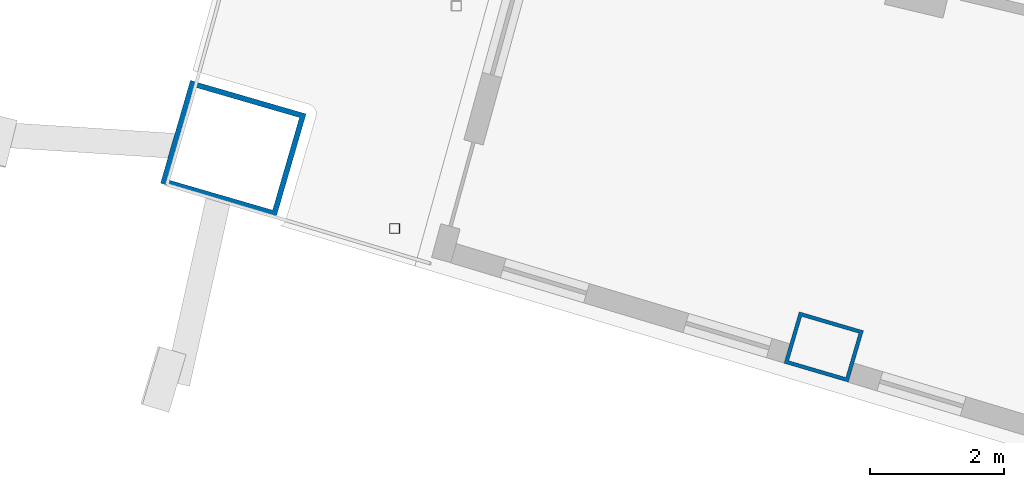
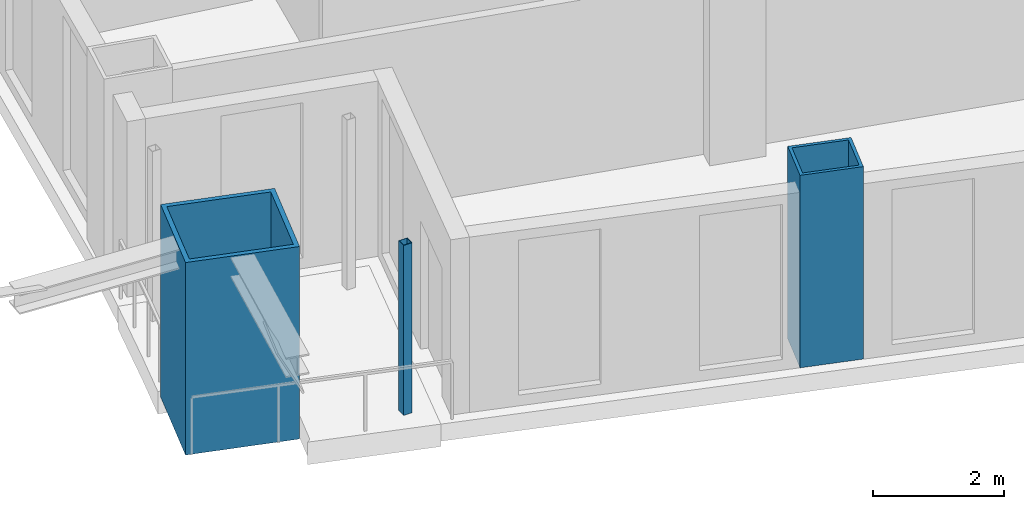
# One storey, part 1 of 22: 3 columns.
"""IFC4 building model written with IfcOpenShell, lengths in metres."""

from ifc_helpers import new_model, si_unit, direction, frame, origin, origin_2d, place, context, subcontext, project, spatial, hollow_rectangle, extrude, material, material_profile, profile_set, type_object, element, save


model = new_model("IFC4")

# Units and contexts
model_context = context("Model", 3, precision=1e-05, world=origin(), true_north=direction((0.0, 1.0)))
body_context = subcontext(model_context, "Body", "Model", "MODEL_VIEW")
ifc_project = project(units=[si_unit("LENGTHUNIT", "METRE"), si_unit("AREAUNIT", "SQUARE_METRE"), si_unit("VOLUMEUNIT", "CUBIC_METRE"), si_unit("PLANEANGLEUNIT", "RADIAN"), si_unit("MASSUNIT", "GRAM", prefix="KILO")], contexts=[model_context])

# Site, building, storey
site_placement = place(None, origin())
site = spatial("IfcSite", under=ifc_project, at=site_placement, CompositionType="ELEMENT")
building_placement = place(site_placement, origin())
building = spatial("IfcBuilding", under=site, at=building_placement, Name="Alderwake Tower", CompositionType="ELEMENT")
storey_placement = place(building_placement, frame((0.0, 0.0, 156.800048828125)))
storey = spatial("IfcBuildingStorey", under=building, at=storey_placement, Name="L38", CompositionType="ELEMENT", Elevation=156.800048828125)

# Columns
ifc_material_1 = material(Name="Steel ASTM A572 Grade 50 concrete filled C70/85", Category="concrete")
ifc_material_profile_1 = material_profile(ifc_material_1, hollow_rectangle(XDim=0.800048828125, YDim=1.0, WallThickness=0.054931640625, at=origin_2d()), Name="BOX 1000X800X55")
ifc_profile_set_1 = profile_set([ifc_material_profile_1], Name="Steel ASTM A572 Grade 50 concrete filled C70/85")
column_type_1 = type_object("IfcColumnType", Name="End column Z3", PredefinedType="COLUMN", material=ifc_profile_set_1)
column_1_placement = place(storey_placement, frame((21.885498046875, 31.03759765625, 0.0), z_axis=(0.0, 0.0, 1.0), x_axis=(0.282132160283, 0.95937554906, 0.0)))
element("IfcColumn", 1, at=column_1_placement, inside=storey, type_object=column_type_1, Name="Column R02-C1", PredefinedType="COLUMN", context=body_context, shape_type="SweptSolid", body=[
    extrude(hollow_rectangle(XDim=0.800048828125, YDim=1.0, WallThickness=0.054931640625, at=origin_2d()), origin(), (0.0, 0.0, 1.0), 3.599853515625),
])
ifc_material_2 = material(Name="Steel ASTM A500 Grade C", Category="steel")
ifc_material_profile_2 = material_profile(ifc_material_2, hollow_rectangle(XDim=0.15234375, YDim=0.15234375, WallThickness=0.0087890625, at=origin_2d()), Name="HSS6X6X3/8")
ifc_profile_set_2 = profile_set([ifc_material_profile_2], Name="Steel ASTM A500 Grade C")
column_type_2 = type_object("IfcColumnType", Name="Light post HSS6X6X3/8", PredefinedType="COLUMN", material=ifc_profile_set_2)
column_2_placement = place(storey_placement, frame((15.47412109375, 32.805908203125, 0.0), z_axis=(0.0, 0.0, 1.0), x_axis=(1.0, 0.0, 0.0)))
element("IfcColumn", 2, at=column_2_placement, inside=storey, type_object=column_type_2, Name="Terrace post RS2", PredefinedType="COLUMN", context=body_context, shape_type="SweptSolid", body=[
    extrude(hollow_rectangle(XDim=0.15234375, YDim=0.15234375, WallThickness=0.0087890625, at=origin_2d()), origin(), (0.0, 0.0, 1.0), 3.179931640625),
])
ifc_material_3 = material(Name="Steel ASTM A572 Grade 50 concrete filled C70/85", Category="concrete")
ifc_material_profile_3 = material_profile(ifc_material_3, hollow_rectangle(XDim=1.60009765625, YDim=1.800048828125, WallThickness=0.080078125, at=origin_2d()), Name="BOX 1800X1600X80")
ifc_profile_set_3 = profile_set([ifc_material_profile_3], Name="Steel ASTM A572 Grade 50 concrete filled C70/85")
column_type_3 = type_object("IfcColumnType", Name="Mega column Z3", PredefinedType="COLUMN", material=ifc_profile_set_3)
column_3_placement = place(storey_placement, frame((13.06298828125, 34.00244140625, 0.0), z_axis=(0.0, 0.0, 1.0), x_axis=(0.278612301868, 0.960403657452, 0.0)))
element("IfcColumn", 3, at=column_3_placement, inside=storey, type_object=column_type_3, Name="Column R02-C0", PredefinedType="COLUMN", context=body_context, shape_type="SweptSolid", body=[
    extrude(hollow_rectangle(XDim=1.60009765625, YDim=1.800048828125, WallThickness=0.080078125, at=origin_2d()), origin(), (0.0, 0.0, 1.0), 3.599853515625),
])

save(model, "model.ifc")
